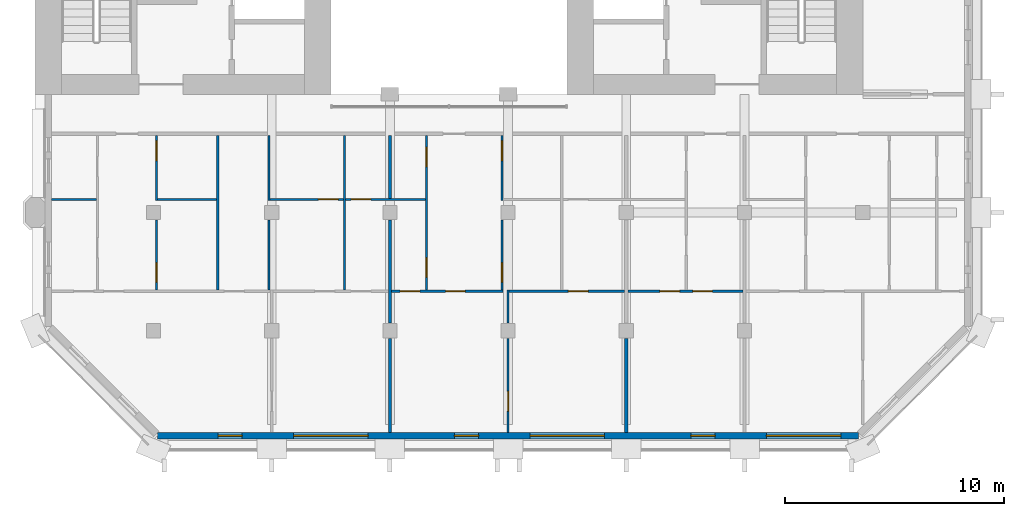
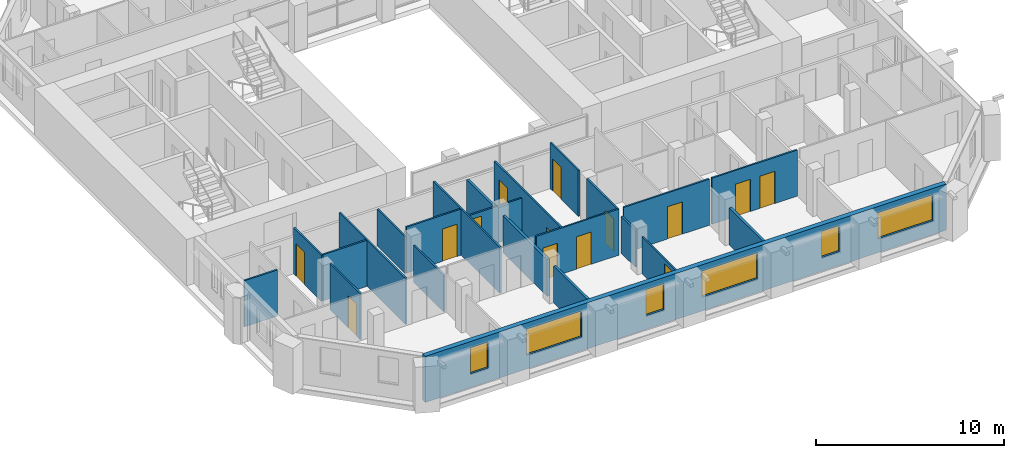
# One storey, part 6 of 14: 23 walls, 14 doors, 6 windows, 20 openings.
"""IFC4 building model written with IfcOpenShell, lengths in metres."""

from ifc_helpers import new_model, si_unit, direction, frame, frame_2d, origin, place, context, subcontext, project, spatial, rectangle, extrude, material, layer, layer_set, type_object, element, fill, save


model = new_model("IFC4")

# Units and contexts
model_context = context("Model", 3, precision=1e-05, world=origin(), true_north=direction((0.0, 1.0)))
body_context = subcontext(model_context, "Body", "Model", "MODEL_VIEW")
ifc_project = project(units=[si_unit("LENGTHUNIT", "METRE"), si_unit("AREAUNIT", "SQUARE_METRE"), si_unit("VOLUMEUNIT", "CUBIC_METRE"), si_unit("PLANEANGLEUNIT", "RADIAN"), si_unit("MASSUNIT", "GRAM", prefix="KILO")], contexts=[model_context])

# Site, building, storey
site_placement = place(None, origin())
site = spatial("IfcSite", under=ifc_project, at=site_placement, CompositionType="ELEMENT")
building_placement = place(site_placement, origin())
building = spatial("IfcBuilding", under=site, at=building_placement, Name="Tabaq Tower and Sports Hall", CompositionType="ELEMENT")
storey_placement = place(building_placement, frame((0.0, 0.0, 275.199951171875)))
storey = spatial("IfcBuildingStorey", under=building, at=storey_placement, Name="L67", CompositionType="ELEMENT", Elevation=275.199951171875)

# Wall
ifc_material_1 = material(Name="Gypsum board on steel studs", Category="steel")
ifc_layer_1 = layer(ifc_material_1, 0.10009765625)
ifc_layer_set_1 = layer_set([ifc_layer_1], Name="Partition 100 Gypsum board")
wall_type_1 = type_object("IfcWallType", Name="Partition 100 Gypsum board", PredefinedType="PARTITIONING", material=ifc_layer_set_1)
wall_1_placement = place(storey_placement, frame((8.18994140625, 11.39990234375, 0.0), z_axis=(0.0, 0.0, 1.0), x_axis=(-1.0, 0.0, 0.0)))
element("IfcWall", 1, at=wall_1_placement, inside=storey, type_object=wall_type_1, Name="Partition wall L67", PredefinedType="PARTITIONING", context=body_context, shape_type="SweptSolid", body=[
    extrude(rectangle(XDim=2.0390625, YDim=0.10009765625, at=frame_2d((1.01953125, 0.0))), origin(), (0.0, 0.0, 1.0), 3.0),
])

# Wall, opening, door
wall_2_placement = place(storey_placement, frame((10.93994140625, 7.25, 0.0), z_axis=(0.0, 0.0, 1.0), x_axis=(0.0, 1.0, 0.0)))
wall_2 = element("IfcWall", 2, at=wall_2_placement, inside=storey, type_object=wall_type_1, Name="Partition wall L67", PredefinedType="PARTITIONING", context=body_context, shape_type="SweptSolid", body=[
    extrude(rectangle(XDim=3.205078125, YDim=0.10009765625, at=frame_2d((1.6025390625, 0.0))), origin(), (0.0, 0.0, 1.0), 3.0),
])
opening_1_placement = place(wall_2_placement, frame((0.362060546875, 0.0, 0.0)))
opening_1 = element("IfcOpeningElement", 3, at=opening_1_placement, cuts=wall_2, Name="Opening L67-011", PredefinedType="OPENING", context=body_context, shape_type="SweptSolid", body=[
    extrude(rectangle(XDim=0.89990234375, YDim=2.10009765625, at=frame_2d((0.449951171875, 1.050048828125))), frame((0.0, 0.050048828125, 0.0), z_axis=(0.0, -1.0, 0.0), x_axis=(1.0, 0.0, 0.0)), (0.0, 0.0, 1.0), 0.10009765625),
])
ifc_material_2 = material(Name="Timber leaf in steel frame", Category="steel")
door_type_1 = type_object("IfcDoorType", Name="Internal door 900 left hand", OperationType="SINGLE_SWING_LEFT", PredefinedType="DOOR", material=ifc_material_2)
door_1_placement = place(opening_1_placement, origin())
door_1 = element("IfcDoor", 4, at=door_1_placement, inside=storey, type_object=door_type_1, Name="Internal door L67-011", OperationType="SINGLE_SWING_LEFT", OverallHeight=2.10009765625, OverallWidth=0.89990234375, PredefinedType="DOOR", context=body_context, shape_type="SweptSolid", body=[
    extrude(rectangle(XDim=0.89990234375, YDim=2.10009765625, at=frame_2d((0.449951171875, 1.050048828125))), frame((0.0, 0.02490234375, 0.0), z_axis=(0.0, -1.0, 0.0), x_axis=(1.0, 0.0, 0.0)), (0.0, 0.0, 1.0), 0.050048828125),
])
fill(opening_1, door_1)

wall_3_placement = place(storey_placement, frame((10.93994140625, 11.35009765625, 0.0), z_axis=(0.0, 0.0, 1.0), x_axis=(0.0, 1.0, 0.0)))
wall_3 = element("IfcWall", 5, at=wall_3_placement, inside=storey, type_object=wall_type_1, Name="Partition wall L67", PredefinedType="PARTITIONING", context=body_context, shape_type="SweptSolid", body=[
    extrude(rectangle(XDim=2.974853515625, YDim=0.10009765625, at=frame_2d((1.4873046875, 0.0))), origin(), (0.0, 0.0, 1.0), 3.0),
])
opening_2_placement = place(wall_3_placement, frame((1.824951171875, 0.0, 0.0)))
opening_2 = element("IfcOpeningElement", 6, at=opening_2_placement, cuts=wall_3, Name="Opening L67-012", PredefinedType="OPENING", context=body_context, shape_type="SweptSolid", body=[
    extrude(rectangle(XDim=0.89990234375, YDim=2.10009765625, at=frame_2d((0.449951171875, 1.050048828125))), frame((0.0, 0.050048828125, 0.0), z_axis=(0.0, -1.0, 0.0), x_axis=(1.0, 0.0, 0.0)), (0.0, 0.0, 1.0), 0.10009765625),
])
door_2_placement = place(opening_2_placement, origin())
door_2 = element("IfcDoor", 7, at=door_2_placement, inside=storey, type_object=door_type_1, Name="Internal door L67-012", OperationType="SINGLE_SWING_LEFT", OverallHeight=2.10009765625, OverallWidth=0.89990234375, PredefinedType="DOOR", context=body_context, shape_type="SweptSolid", body=[
    extrude(rectangle(XDim=0.89990234375, YDim=2.10009765625, at=frame_2d((0.449951171875, 1.050048828125))), frame((0.0, 0.02490234375, 0.0), z_axis=(0.0, -1.0, 0.0), x_axis=(1.0, 0.0, 0.0)), (0.0, 0.0, 1.0), 0.050048828125),
])
fill(opening_2, door_2)

# Walls
wall_4_placement = place(storey_placement, frame((13.68994140625, 11.39990234375, 0.0), z_axis=(0.0, 0.0, 1.0), x_axis=(-1.0, 0.0, 0.0)))
element("IfcWall", 8, at=wall_4_placement, inside=storey, type_object=wall_type_1, Name="Partition wall L67", PredefinedType="PARTITIONING", context=body_context, shape_type="SweptSolid", body=[
    extrude(rectangle(XDim=2.699951171875, YDim=0.10009765625, at=frame_2d((1.35009765625, 0.0))), origin(), (0.0, 0.0, 1.0), 3.0),
])
wall_5_placement = place(storey_placement, frame((13.739990234375, 7.25, 0.0), z_axis=(0.0, 0.0, 1.0), x_axis=(0.0, 1.0, 0.0)))
element("IfcWall", 9, at=wall_5_placement, inside=storey, type_object=wall_type_1, Name="Partition wall L67", PredefinedType="PARTITIONING", context=body_context, shape_type="SweptSolid", body=[
    extrude(rectangle(XDim=7.074951171875, YDim=0.10009765625, at=frame_2d((3.53759765625, 0.0))), origin(), (0.0, 0.0, 1.0), 3.0),
])
wall_6_placement = place(storey_placement, frame((16.080078125, 7.25, 0.0), z_axis=(0.0, 0.0, 1.0), x_axis=(0.0, 1.0, 0.0)))
element("IfcWall", 10, at=wall_6_placement, inside=storey, type_object=wall_type_1, Name="Partition wall L67", PredefinedType="PARTITIONING", context=body_context, shape_type="SweptSolid", body=[
    extrude(rectangle(XDim=3.205078125, YDim=0.10009765625, at=frame_2d((1.6025390625, 0.0))), origin(), (0.0, 0.0, 1.0), 2.400146484375),
])
wall_7_placement = place(storey_placement, frame((16.080078125, 11.35009765625, 0.0), z_axis=(0.0, 0.0, 1.0), x_axis=(0.0, 1.0, 0.0)))
element("IfcWall", 11, at=wall_7_placement, inside=storey, type_object=wall_type_1, Name="Partition wall L67", PredefinedType="PARTITIONING", context=body_context, shape_type="SweptSolid", body=[
    extrude(rectangle(XDim=2.974853515625, YDim=0.10009765625, at=frame_2d((1.4873046875, 0.0))), origin(), (0.0, 0.0, 1.0), 2.400146484375),
])

# Wall, opening, door
wall_8_placement = place(storey_placement, frame((19.47998046875, 11.39990234375, 0.0), z_axis=(0.0, 0.0, 1.0), x_axis=(-1.0, 0.0, 0.0)))
wall_8 = element("IfcWall", 12, at=wall_8_placement, inside=storey, type_object=wall_type_1, Name="Partition wall L67", PredefinedType="PARTITIONING", context=body_context, shape_type="SweptSolid", body=[
    extrude(rectangle(XDim=3.35009765625, YDim=0.10009765625, at=frame_2d((1.675048828125, 0.0))), origin(), (0.0, 0.0, 1.0), 3.0),
])
opening_3_placement = place(wall_8_placement, frame((0.25, 0.0, 0.0)))
opening_3 = element("IfcOpeningElement", 13, at=opening_3_placement, cuts=wall_8, Name="Opening L67-013", PredefinedType="OPENING", context=body_context, shape_type="SweptSolid", body=[
    extrude(rectangle(XDim=0.89990234375, YDim=2.10009765625, at=frame_2d((0.449951171875, 1.050048828125))), frame((0.0, 0.050048828125, 0.0), z_axis=(0.0, -1.0, 0.0), x_axis=(1.0, 0.0, 0.0)), (0.0, 0.0, 1.0), 0.10009765625),
])
ifc_material_3 = material(Name="Timber leaf in steel frame", Category="steel")
door_type_2 = type_object("IfcDoorType", Name="Internal door 900 right hand", OperationType="SINGLE_SWING_RIGHT", PredefinedType="DOOR", material=ifc_material_3)
door_3_placement = place(opening_3_placement, origin())
door_3 = element("IfcDoor", 14, at=door_3_placement, inside=storey, type_object=door_type_2, Name="Internal door L67-013", OperationType="SINGLE_SWING_RIGHT", OverallHeight=2.10009765625, OverallWidth=0.89990234375, PredefinedType="DOOR", context=body_context, shape_type="SweptSolid", body=[
    extrude(rectangle(XDim=0.89990234375, YDim=2.10009765625, at=frame_2d((0.449951171875, 1.050048828125))), frame((0.0, 0.02490234375, 0.0), z_axis=(0.0, -1.0, 0.0), x_axis=(1.0, 0.0, 0.0)), (0.0, 0.0, 1.0), 0.050048828125),
])
fill(opening_3, door_3)

# Wall
wall_9_placement = place(storey_placement, frame((19.530029296875, 7.25, 0.0), z_axis=(0.0, 0.0, 1.0), x_axis=(0.0, 1.0, 0.0)))
element("IfcWall", 15, at=wall_9_placement, inside=storey, type_object=wall_type_1, Name="Partition wall L67", PredefinedType="PARTITIONING", context=body_context, shape_type="SweptSolid", body=[
    extrude(rectangle(XDim=7.074951171875, YDim=0.10009765625, at=frame_2d((3.53759765625, 0.0))), origin(), (0.0, 0.0, 1.0), 3.0),
])

# Wall, opening, door
wall_10_placement = place(storey_placement, frame((27.0, 0.7509765625, 0.0), z_axis=(0.0, 0.0, 1.0), x_axis=(0.0, 1.0, 0.0)))
wall_10 = element("IfcWall", 16, at=wall_10_placement, inside=storey, type_object=wall_type_1, Name="Partition wall L67", PredefinedType="PARTITIONING", context=body_context, shape_type="SweptSolid", body=[
    extrude(rectangle(XDim=4.303955078125, YDim=0.10009765625, at=frame_2d((2.15185546875, 0.0))), origin(), (0.0, 0.0, 1.0), 2.400146484375),
])
opening_4_placement = place(wall_10_placement, frame((0.97412109375, 0.0, 0.0)))
opening_4 = element("IfcOpeningElement", 17, at=opening_4_placement, cuts=wall_10, Name="Opening L67-040", PredefinedType="OPENING", context=body_context, shape_type="SweptSolid", body=[
    extrude(rectangle(XDim=0.89990234375, YDim=2.10009765625, at=frame_2d((0.449951171875, 1.050048828125))), frame((0.0, 0.050048828125, 0.0), z_axis=(0.0, -1.0, 0.0), x_axis=(1.0, 0.0, 0.0)), (0.0, 0.0, 1.0), 0.10009765625),
])
door_4_placement = place(opening_4_placement, origin())
door_4 = element("IfcDoor", 18, at=door_4_placement, inside=storey, type_object=door_type_2, Name="Internal door L67-040", OperationType="SINGLE_SWING_RIGHT", OverallHeight=2.10009765625, OverallWidth=0.89990234375, PredefinedType="DOOR", context=body_context, shape_type="SweptSolid", body=[
    extrude(rectangle(XDim=0.89990234375, YDim=2.10009765625, at=frame_2d((0.449951171875, 1.050048828125))), frame((0.0, 0.02490234375, 0.0), z_axis=(0.0, -1.0, 0.0), x_axis=(1.0, 0.0, 0.0)), (0.0, 0.0, 1.0), 0.050048828125),
])
fill(opening_4, door_4)

# Wall
wall_11_placement = place(storey_placement, frame((27.0, 5.7451171875, 0.0), z_axis=(0.0, 0.0, 1.0), x_axis=(0.0, 1.0, 0.0)))
element("IfcWall", 19, at=wall_11_placement, inside=storey, type_object=wall_type_1, Name="Partition wall L67", PredefinedType="PARTITIONING", context=body_context, shape_type="SweptSolid", body=[
    extrude(rectangle(XDim=1.5048828125, YDim=0.10009765625, at=frame_2d((0.75244140625, 0.0))), origin(), (0.0, 0.0, 1.0), 2.400146484375),
])

# Wall, openings, doors
wall_12_placement = place(storey_placement, frame((26.77197265625, 7.199951171875, 0.0), z_axis=(0.0, 0.0, 1.0), x_axis=(-1.0, 0.0, 0.0)))
wall_12 = element("IfcWall", 20, at=wall_12_placement, inside=storey, type_object=wall_type_1, Name="Partition wall L67", PredefinedType="PARTITIONING", context=body_context, shape_type="SweptSolid", body=[
    extrude(rectangle(XDim=5.096923828125, YDim=0.10009765625, at=frame_2d((2.54833984375, 0.0))), origin(), (0.0, 0.0, 1.0), 3.0),
])
opening_5_placement = place(wall_12_placement, frame((3.801025390625, 0.0, 0.0)))
opening_5 = element("IfcOpeningElement", 21, at=opening_5_placement, cuts=wall_12, Name="Opening L67-041", PredefinedType="OPENING", context=body_context, shape_type="SweptSolid", body=[
    extrude(rectangle(XDim=0.89990234375, YDim=2.10009765625, at=frame_2d((0.449951171875, 1.050048828125))), frame((0.0, 0.050048828125, 0.0), z_axis=(0.0, -1.0, 0.0), x_axis=(1.0, 0.0, 0.0)), (0.0, 0.0, 1.0), 0.10009765625),
])
opening_6_placement = place(wall_12_placement, frame((1.73193359375, 0.0, 0.0)))
opening_6 = element("IfcOpeningElement", 22, at=opening_6_placement, cuts=wall_12, Name="Opening L67-055", PredefinedType="OPENING", context=body_context, shape_type="SweptSolid", body=[
    extrude(rectangle(XDim=0.89990234375, YDim=2.10009765625, at=frame_2d((0.449951171875, 1.050048828125))), frame((0.0, 0.050048828125, 0.0), z_axis=(0.0, -1.0, 0.0), x_axis=(1.0, 0.0, 0.0)), (0.0, 0.0, 1.0), 0.10009765625),
])
door_5_placement = place(opening_5_placement, origin())
door_5 = element("IfcDoor", 23, at=door_5_placement, inside=storey, type_object=door_type_1, Name="Internal door L67-041", OperationType="SINGLE_SWING_LEFT", OverallHeight=2.10009765625, OverallWidth=0.89990234375, PredefinedType="DOOR", context=body_context, shape_type="SweptSolid", body=[
    extrude(rectangle(XDim=0.89990234375, YDim=2.10009765625, at=frame_2d((0.449951171875, 1.050048828125))), frame((0.0, 0.02490234375, 0.0), z_axis=(0.0, -1.0, 0.0), x_axis=(1.0, 0.0, 0.0)), (0.0, 0.0, 1.0), 0.050048828125),
])
fill(opening_5, door_5)
door_6_placement = place(opening_6_placement, origin())
door_6 = element("IfcDoor", 24, at=door_6_placement, inside=storey, type_object=door_type_2, Name="Internal door L67-055", OperationType="SINGLE_SWING_RIGHT", OverallHeight=2.10009765625, OverallWidth=0.89990234375, PredefinedType="DOOR", context=body_context, shape_type="SweptSolid", body=[
    extrude(rectangle(XDim=0.89990234375, YDim=2.10009765625, at=frame_2d((0.449951171875, 1.050048828125))), frame((0.0, 0.02490234375, 0.0), z_axis=(0.0, -1.0, 0.0), x_axis=(1.0, 0.0, 0.0)), (0.0, 0.0, 1.0), 0.050048828125),
])
fill(opening_6, door_6)

# Wall, opening, door
wall_13_placement = place(storey_placement, frame((32.324951171875, 7.199951171875, 0.0), z_axis=(0.0, 0.0, 1.0), x_axis=(-1.0, 0.0, 0.0)))
wall_13 = element("IfcWall", 25, at=wall_13_placement, inside=storey, type_object=wall_type_1, Name="Partition wall L67", PredefinedType="PARTITIONING", context=body_context, shape_type="SweptSolid", body=[
    extrude(rectangle(XDim=5.27490234375, YDim=0.10009765625, at=frame_2d((2.637451171875, 0.0))), origin(), (0.0, 0.0, 1.0), 3.0),
])
opening_7_placement = place(wall_13_placement, frame((1.675048828125, 0.0, 0.0)))
opening_7 = element("IfcOpeningElement", 26, at=opening_7_placement, cuts=wall_13, Name="Opening L67-042", PredefinedType="OPENING", context=body_context, shape_type="SweptSolid", body=[
    extrude(rectangle(XDim=0.89990234375, YDim=2.10009765625, at=frame_2d((0.449951171875, 1.050048828125))), frame((0.0, 0.050048828125, 0.0), z_axis=(0.0, -1.0, 0.0), x_axis=(1.0, 0.0, 0.0)), (0.0, 0.0, 1.0), 0.10009765625),
])
door_7_placement = place(opening_7_placement, origin())
door_7 = element("IfcDoor", 27, at=door_7_placement, inside=storey, type_object=door_type_2, Name="Internal door L67-042", OperationType="SINGLE_SWING_RIGHT", OverallHeight=2.10009765625, OverallWidth=0.89990234375, PredefinedType="DOOR", context=body_context, shape_type="SweptSolid", body=[
    extrude(rectangle(XDim=0.89990234375, YDim=2.10009765625, at=frame_2d((0.449951171875, 1.050048828125))), frame((0.0, 0.02490234375, 0.0), z_axis=(0.0, -1.0, 0.0), x_axis=(1.0, 0.0, 0.0)), (0.0, 0.0, 1.0), 0.050048828125),
])
fill(opening_7, door_7)

wall_14_placement = place(storey_placement, frame((23.220947265625, 11.39990234375, 0.0), z_axis=(0.0, 0.0, 1.0), x_axis=(-1.0, 0.0, 0.0)))
wall_14 = element("IfcWall", 28, at=wall_14_placement, inside=storey, type_object=wall_type_1, Name="Partition wall L67", PredefinedType="PARTITIONING", context=body_context, shape_type="SweptSolid", body=[
    extrude(rectangle(XDim=3.640869140625, YDim=0.10009765625, at=frame_2d((1.8203125, 0.0))), origin(), (0.0, 0.0, 1.0), 2.400146484375),
])
opening_8_placement = place(wall_14_placement, frame((2.490966796875, 0.0, 0.0)))
opening_8 = element("IfcOpeningElement", 29, at=opening_8_placement, cuts=wall_14, Name="Opening L67-014", PredefinedType="OPENING", context=body_context, shape_type="SweptSolid", body=[
    extrude(rectangle(XDim=0.89990234375, YDim=2.10009765625, at=frame_2d((0.449951171875, 1.050048828125))), frame((0.0, 0.050048828125, 0.0), z_axis=(0.0, -1.0, 0.0), x_axis=(1.0, 0.0, 0.0)), (0.0, 0.0, 1.0), 0.10009765625),
])
door_8_placement = place(opening_8_placement, origin())
door_8 = element("IfcDoor", 30, at=door_8_placement, inside=storey, type_object=door_type_2, Name="Internal door L67-014", OperationType="SINGLE_SWING_RIGHT", OverallHeight=2.10009765625, OverallWidth=0.89990234375, PredefinedType="DOOR", context=body_context, shape_type="SweptSolid", body=[
    extrude(rectangle(XDim=0.89990234375, YDim=2.10009765625, at=frame_2d((0.449951171875, 1.050048828125))), frame((0.0, 0.02490234375, 0.0), z_axis=(0.0, -1.0, 0.0), x_axis=(1.0, 0.0, 0.0)), (0.0, 0.0, 1.0), 0.050048828125),
])
fill(opening_8, door_8)

# Wall, openings, doors
wall_15_placement = place(storey_placement, frame((23.27099609375, 7.25, 0.0), z_axis=(0.0, 0.0, 1.0), x_axis=(0.0, 1.0, 0.0)))
wall_15 = element("IfcWall", 31, at=wall_15_placement, inside=storey, type_object=wall_type_1, Name="Partition wall L67", PredefinedType="PARTITIONING", context=body_context, shape_type="SweptSolid", body=[
    extrude(rectangle(XDim=7.074951171875, YDim=0.10009765625, at=frame_2d((3.53759765625, 0.0))), origin(), (0.0, 0.0, 1.0), 3.0),
])
opening_9_placement = place(wall_15_placement, frame((5.637939453125, 0.0, 0.0)))
opening_9 = element("IfcOpeningElement", 32, at=opening_9_placement, cuts=wall_15, Name="Opening L67-015", PredefinedType="OPENING", context=body_context, shape_type="SweptSolid", body=[
    extrude(rectangle(XDim=0.89990234375, YDim=2.10009765625, at=frame_2d((0.449951171875, 1.050048828125))), frame((0.0, 0.050048828125, 0.0), z_axis=(0.0, -1.0, 0.0), x_axis=(1.0, 0.0, 0.0)), (0.0, 0.0, 1.0), 0.10009765625),
])
opening_10_placement = place(wall_15_placement, frame((0.5869140625, 0.0, 0.0)))
opening_10 = element("IfcOpeningElement", 33, at=opening_10_placement, cuts=wall_15, Name="Opening L67-043", PredefinedType="OPENING", context=body_context, shape_type="SweptSolid", body=[
    extrude(rectangle(XDim=0.89990234375, YDim=2.10009765625, at=frame_2d((0.449951171875, 1.050048828125))), frame((0.0, 0.050048828125, 0.0), z_axis=(0.0, -1.0, 0.0), x_axis=(1.0, 0.0, 0.0)), (0.0, 0.0, 1.0), 0.10009765625),
])
door_9_placement = place(opening_9_placement, origin())
door_9 = element("IfcDoor", 34, at=door_9_placement, inside=storey, type_object=door_type_1, Name="Internal door L67-015", OperationType="SINGLE_SWING_LEFT", OverallHeight=2.10009765625, OverallWidth=0.89990234375, PredefinedType="DOOR", context=body_context, shape_type="SweptSolid", body=[
    extrude(rectangle(XDim=0.89990234375, YDim=2.10009765625, at=frame_2d((0.449951171875, 1.050048828125))), frame((0.0, 0.02490234375, 0.0), z_axis=(0.0, -1.0, 0.0), x_axis=(1.0, 0.0, 0.0)), (0.0, 0.0, 1.0), 0.050048828125),
])
fill(opening_9, door_9)
door_10_placement = place(opening_10_placement, origin())
door_10 = element("IfcDoor", 35, at=door_10_placement, inside=storey, type_object=door_type_2, Name="Internal door L67-043", OperationType="SINGLE_SWING_RIGHT", OverallHeight=2.10009765625, OverallWidth=0.89990234375, PredefinedType="DOOR", context=body_context, shape_type="SweptSolid", body=[
    extrude(rectangle(XDim=0.89990234375, YDim=2.10009765625, at=frame_2d((0.449951171875, 1.050048828125))), frame((0.0, 0.02490234375, 0.0), z_axis=(0.0, -1.0, 0.0), x_axis=(1.0, 0.0, 0.0)), (0.0, 0.0, 1.0), 0.050048828125),
])
fill(opening_10, door_10)

# Wall, opening, door
wall_16_placement = place(storey_placement, frame((26.721923828125, 7.25, 0.0), z_axis=(0.0, 0.0, 1.0), x_axis=(0.0, 1.0, 0.0)))
wall_16 = element("IfcWall", 36, at=wall_16_placement, inside=storey, type_object=wall_type_1, Name="Partition wall L67", PredefinedType="PARTITIONING", context=body_context, shape_type="SweptSolid", body=[
    extrude(rectangle(XDim=3.205078125, YDim=0.10009765625, at=frame_2d((1.6025390625, 0.0))), origin(), (0.0, 0.0, 1.0), 3.0),
])
opening_11_placement = place(wall_16_placement, frame((0.362060546875, 0.0, 0.0)))
opening_11 = element("IfcOpeningElement", 37, at=opening_11_placement, cuts=wall_16, Name="Opening L67-016", PredefinedType="OPENING", context=body_context, shape_type="SweptSolid", body=[
    extrude(rectangle(XDim=0.89990234375, YDim=2.10009765625, at=frame_2d((0.449951171875, 1.050048828125))), frame((0.0, 0.050048828125, 0.0), z_axis=(0.0, -1.0, 0.0), x_axis=(1.0, 0.0, 0.0)), (0.0, 0.0, 1.0), 0.10009765625),
])
door_11_placement = place(opening_11_placement, origin())
door_11 = element("IfcDoor", 38, at=door_11_placement, inside=storey, type_object=door_type_2, Name="Internal door L67-016", OperationType="SINGLE_SWING_RIGHT", OverallHeight=2.10009765625, OverallWidth=0.89990234375, PredefinedType="DOOR", context=body_context, shape_type="SweptSolid", body=[
    extrude(rectangle(XDim=0.89990234375, YDim=2.10009765625, at=frame_2d((0.449951171875, 1.050048828125))), frame((0.0, 0.02490234375, 0.0), z_axis=(0.0, -1.0, 0.0), x_axis=(1.0, 0.0, 0.0)), (0.0, 0.0, 1.0), 0.050048828125),
])
fill(opening_11, door_11)

wall_17_placement = place(storey_placement, frame((26.721923828125, 11.35009765625, 0.0), z_axis=(0.0, 0.0, 1.0), x_axis=(0.0, 1.0, 0.0)))
wall_17 = element("IfcWall", 39, at=wall_17_placement, inside=storey, type_object=wall_type_1, Name="Partition wall L67", PredefinedType="PARTITIONING", context=body_context, shape_type="SweptSolid", body=[
    extrude(rectangle(XDim=2.974853515625, YDim=0.10009765625, at=frame_2d((1.4873046875, 0.0))), origin(), (0.0, 0.0, 1.0), 3.0),
])
opening_12_placement = place(wall_17_placement, frame((1.824951171875, 0.0, 0.0)))
opening_12 = element("IfcOpeningElement", 40, at=opening_12_placement, cuts=wall_17, Name="Opening L67-017", PredefinedType="OPENING", context=body_context, shape_type="SweptSolid", body=[
    extrude(rectangle(XDim=0.89990234375, YDim=2.10009765625, at=frame_2d((0.449951171875, 1.050048828125))), frame((0.0, 0.050048828125, 0.0), z_axis=(0.0, -1.0, 0.0), x_axis=(1.0, 0.0, 0.0)), (0.0, 0.0, 1.0), 0.10009765625),
])
door_12_placement = place(opening_12_placement, origin())
door_12 = element("IfcDoor", 41, at=door_12_placement, inside=storey, type_object=door_type_2, Name="Internal door L67-017", OperationType="SINGLE_SWING_RIGHT", OverallHeight=2.10009765625, OverallWidth=0.89990234375, PredefinedType="DOOR", context=body_context, shape_type="SweptSolid", body=[
    extrude(rectangle(XDim=0.89990234375, YDim=2.10009765625, at=frame_2d((0.449951171875, 1.050048828125))), frame((0.0, 0.02490234375, 0.0), z_axis=(0.0, -1.0, 0.0), x_axis=(1.0, 0.0, 0.0)), (0.0, 0.0, 1.0), 0.050048828125),
])
fill(opening_12, door_12)

# Wall, openings, doors
wall_18_placement = place(storey_placement, frame((37.72509765625, 7.199951171875, 0.0), z_axis=(0.0, 0.0, 1.0), x_axis=(-1.0, 0.0, 0.0)))
wall_18 = element("IfcWall", 42, at=wall_18_placement, inside=storey, type_object=wall_type_1, Name="Partition wall L67", PredefinedType="PARTITIONING", context=body_context, shape_type="SweptSolid", body=[
    extrude(rectangle(XDim=5.25, YDim=0.10009765625, at=frame_2d((2.625, 0.0))), origin(), (0.0, 0.0, 1.0), 3.0),
])
opening_13_placement = place(wall_18_placement, frame((2.889892578125, 0.0, 0.0)))
opening_13 = element("IfcOpeningElement", 43, at=opening_13_placement, cuts=wall_18, Name="Opening L67-044", PredefinedType="OPENING", context=body_context, shape_type="SweptSolid", body=[
    extrude(rectangle(XDim=0.89990234375, YDim=2.10009765625, at=frame_2d((0.449951171875, 1.050048828125))), frame((0.0, 0.050048828125, 0.0), z_axis=(0.0, -1.0, 0.0), x_axis=(1.0, 0.0, 0.0)), (0.0, 0.0, 1.0), 0.10009765625),
])
opening_14_placement = place(wall_18_placement, frame((1.389892578125, 0.0, 0.0)))
opening_14 = element("IfcOpeningElement", 44, at=opening_14_placement, cuts=wall_18, Name="Opening L67-045", PredefinedType="OPENING", context=body_context, shape_type="SweptSolid", body=[
    extrude(rectangle(XDim=0.89990234375, YDim=2.10009765625, at=frame_2d((0.449951171875, 1.050048828125))), frame((0.0, 0.050048828125, 0.0), z_axis=(0.0, -1.0, 0.0), x_axis=(1.0, 0.0, 0.0)), (0.0, 0.0, 1.0), 0.10009765625),
])
door_13_placement = place(opening_13_placement, origin())
door_13 = element("IfcDoor", 45, at=door_13_placement, inside=storey, type_object=door_type_1, Name="Internal door L67-044", OperationType="SINGLE_SWING_LEFT", OverallHeight=2.10009765625, OverallWidth=0.89990234375, PredefinedType="DOOR", context=body_context, shape_type="SweptSolid", body=[
    extrude(rectangle(XDim=0.89990234375, YDim=2.10009765625, at=frame_2d((0.449951171875, 1.050048828125))), frame((0.0, 0.02490234375, 0.0), z_axis=(0.0, -1.0, 0.0), x_axis=(1.0, 0.0, 0.0)), (0.0, 0.0, 1.0), 0.050048828125),
])
fill(opening_13, door_13)
door_14_placement = place(opening_14_placement, origin())
door_14 = element("IfcDoor", 46, at=door_14_placement, inside=storey, type_object=door_type_2, Name="Internal door L67-045", OperationType="SINGLE_SWING_RIGHT", OverallHeight=2.10009765625, OverallWidth=0.89990234375, PredefinedType="DOOR", context=body_context, shape_type="SweptSolid", body=[
    extrude(rectangle(XDim=0.89990234375, YDim=2.10009765625, at=frame_2d((0.449951171875, 1.050048828125))), frame((0.0, 0.02490234375, 0.0), z_axis=(0.0, -1.0, 0.0), x_axis=(1.0, 0.0, 0.0)), (0.0, 0.0, 1.0), 0.050048828125),
])
fill(opening_14, door_14)

# Walls
ifc_material_4 = material(Name="Blockwork", Category="masonry")
ifc_layer_2 = layer(ifc_material_4, 0.14990234375)
ifc_layer_set_2 = layer_set([ifc_layer_2], Name="Separating wall 150 Blockwork")
wall_type_2 = type_object("IfcWallType", Name="Separating wall 150 Blockwork", PredefinedType="PARTITIONING", material=ifc_layer_set_2)
wall_19_placement = place(storey_placement, frame((21.60009765625, 0.7509765625, 0.0), z_axis=(0.0, 0.0, 1.0), x_axis=(0.0, 1.0, 0.0)))
element("IfcWall", 47, at=wall_19_placement, inside=storey, type_object=wall_type_2, Name="Separating wall L67", PredefinedType="PARTITIONING", context=body_context, shape_type="SweptSolid", body=[
    extrude(rectangle(XDim=4.303955078125, YDim=0.14990234375, at=frame_2d((2.15185546875, 0.0))), origin(), (0.0, 0.0, 1.0), 2.400146484375),
])
wall_20_placement = place(storey_placement, frame((21.60009765625, 5.7451171875, 0.0), z_axis=(0.0, 0.0, 1.0), x_axis=(0.0, 1.0, 0.0)))
element("IfcWall", 48, at=wall_20_placement, inside=storey, type_object=wall_type_2, Name="Separating wall L67", PredefinedType="PARTITIONING", context=body_context, shape_type="SweptSolid", body=[
    extrude(rectangle(XDim=4.7099609375, YDim=0.14990234375, at=frame_2d((2.35498046875, 0.0))), origin(), (0.0, 0.0, 1.0), 2.400146484375),
])
wall_21_placement = place(storey_placement, frame((21.60009765625, 11.449951171875, 0.0), z_axis=(0.0, 0.0, 1.0), x_axis=(0.0, 1.0, 0.0)))
element("IfcWall", 49, at=wall_21_placement, inside=storey, type_object=wall_type_2, Name="Separating wall L67", PredefinedType="PARTITIONING", context=body_context, shape_type="SweptSolid", body=[
    extrude(rectangle(XDim=2.875, YDim=0.14990234375, at=frame_2d((1.4375, 0.0))), origin(), (0.0, 0.0, 1.0), 2.400146484375),
])
wall_22_placement = place(storey_placement, frame((32.39990234375, 0.7509765625, 0.0), z_axis=(0.0, 0.0, 1.0), x_axis=(0.0, 1.0, 0.0)))
element("IfcWall", 50, at=wall_22_placement, inside=storey, type_object=wall_type_2, Name="Separating wall L67", PredefinedType="PARTITIONING", context=body_context, shape_type="SweptSolid", body=[
    extrude(rectangle(XDim=4.303955078125, YDim=0.14990234375, at=frame_2d((2.15185546875, 0.0))), origin(), (0.0, 0.0, 1.0), 2.400146484375),
])

# Wall, openings, windows
ifc_material_5 = material(Name="White precast concrete C60/75", Category="concrete")
ifc_layer_3 = layer(ifc_material_5, 0.300048828125)
ifc_layer_set_3 = layer_set([ifc_layer_3], Name="White precast concrete C60/75 external wall 300")
wall_type_3 = type_object("IfcWallType", Name="White precast concrete C60/75 external wall 300", PredefinedType="SOLIDWALL", material=ifc_layer_set_3)
wall_23_placement = place(storey_placement, frame((10.986328125, 0.60009765625, 0.0), z_axis=(0.0, 0.0, 1.0), x_axis=(1.0, 0.0, 0.0)))
wall_23 = element("IfcWall", 51, at=wall_23_placement, inside=storey, type_object=wall_type_3, Name="External Wall L67 S", PredefinedType="SOLIDWALL", context=body_context, shape_type="SweptSolid", body=[
    extrude(rectangle(XDim=32.02734375, YDim=0.300048828125, at=frame_2d((16.013671875, 0.0))), origin(), (0.0, 0.0, 1.0), 3.0),
])
opening_15_placement = place(wall_23_placement, frame((2.763671875, 0.0, 0.89990234375)))
opening_15 = element("IfcOpeningElement", 52, at=opening_15_placement, cuts=wall_23, Name="Opening W1B", PredefinedType="OPENING", context=body_context, shape_type="SweptSolid", body=[
    extrude(rectangle(XDim=1.10009765625, YDim=1.699951171875, at=frame_2d((0.550048828125, 0.85009765625))), frame((0.0, 0.16015625, 0.0), z_axis=(0.0, -1.0, 0.0), x_axis=(1.0, 0.0, 0.0)), (0.0, 0.0, 1.0), 0.320068359375),
])
opening_16_placement = place(wall_23_placement, frame((6.213623046875, 0.0, 0.89990234375)))
opening_16 = element("IfcOpeningElement", 53, at=opening_16_placement, cuts=wall_23, Name="Opening W1A", PredefinedType="OPENING", context=body_context, shape_type="SweptSolid", body=[
    extrude(rectangle(XDim=3.39990234375, YDim=1.699951171875, at=frame_2d((1.699951171875, 0.85009765625))), frame((0.0, 0.16015625, 0.0), z_axis=(0.0, -1.0, 0.0), x_axis=(1.0, 0.0, 0.0)), (0.0, 0.0, 1.0), 0.320068359375),
])
opening_17_placement = place(wall_23_placement, frame((13.563720703125, 0.0, 0.89990234375)))
opening_17 = element("IfcOpeningElement", 54, at=opening_17_placement, cuts=wall_23, Name="Opening W1B", PredefinedType="OPENING", context=body_context, shape_type="SweptSolid", body=[
    extrude(rectangle(XDim=1.10009765625, YDim=1.699951171875, at=frame_2d((0.550048828125, 0.85009765625))), frame((0.0, 0.16015625, 0.0), z_axis=(0.0, -1.0, 0.0), x_axis=(1.0, 0.0, 0.0)), (0.0, 0.0, 1.0), 0.320068359375),
])
opening_18_placement = place(wall_23_placement, frame((17.013671875, 0.0, 0.89990234375)))
opening_18 = element("IfcOpeningElement", 55, at=opening_18_placement, cuts=wall_23, Name="Opening W1A", PredefinedType="OPENING", context=body_context, shape_type="SweptSolid", body=[
    extrude(rectangle(XDim=3.39990234375, YDim=1.699951171875, at=frame_2d((1.699951171875, 0.85009765625))), frame((0.0, 0.16015625, 0.0), z_axis=(0.0, -1.0, 0.0), x_axis=(1.0, 0.0, 0.0)), (0.0, 0.0, 1.0), 0.320068359375),
])
opening_19_placement = place(wall_23_placement, frame((24.363525390625, 0.0, 0.89990234375)))
opening_19 = element("IfcOpeningElement", 56, at=opening_19_placement, cuts=wall_23, Name="Opening W1B", PredefinedType="OPENING", context=body_context, shape_type="SweptSolid", body=[
    extrude(rectangle(XDim=1.10009765625, YDim=1.699951171875, at=frame_2d((0.550048828125, 0.85009765625))), frame((0.0, 0.16015625, 0.0), z_axis=(0.0, -1.0, 0.0), x_axis=(1.0, 0.0, 0.0)), (0.0, 0.0, 1.0), 0.320068359375),
])
opening_20_placement = place(wall_23_placement, frame((27.813720703125, 0.0, 0.89990234375)))
opening_20 = element("IfcOpeningElement", 57, at=opening_20_placement, cuts=wall_23, Name="Opening W1A", PredefinedType="OPENING", context=body_context, shape_type="SweptSolid", body=[
    extrude(rectangle(XDim=3.39990234375, YDim=1.699951171875, at=frame_2d((1.699951171875, 0.85009765625))), frame((0.0, 0.16015625, 0.0), z_axis=(0.0, -1.0, 0.0), x_axis=(1.0, 0.0, 0.0)), (0.0, 0.0, 1.0), 0.320068359375),
])
ifc_material_6 = material(Name="Aluminium framed clear glazing", Category="aluminium")
window_type_1 = type_object("IfcWindowType", Name="Window W1A", PartitioningType="SINGLE_PANEL", PredefinedType="WINDOW", material=ifc_material_6)
window_1_placement = place(opening_16_placement, origin())
window_1 = element("IfcWindow", 58, at=window_1_placement, inside=storey, type_object=window_type_1, Name="Window W1A L67", OverallHeight=1.699951171875, OverallWidth=3.39990234375, PartitioningType="SINGLE_PANEL", PredefinedType="WINDOW", context=body_context, shape_type="SweptSolid", body=[
    extrude(rectangle(XDim=3.39990234375, YDim=1.699951171875, at=frame_2d((1.699951171875, 0.85009765625))), frame((0.0, 0.030029296875, 0.0), z_axis=(0.0, -1.0, 0.0), x_axis=(1.0, 0.0, 0.0)), (0.0, 0.0, 1.0), 0.06005859375),
])
fill(opening_16, window_1)
window_2_placement = place(opening_18_placement, origin())
window_2 = element("IfcWindow", 59, at=window_2_placement, inside=storey, type_object=window_type_1, Name="Window W1A L67", OverallHeight=1.699951171875, OverallWidth=3.39990234375, PartitioningType="SINGLE_PANEL", PredefinedType="WINDOW", context=body_context, shape_type="SweptSolid", body=[
    extrude(rectangle(XDim=3.39990234375, YDim=1.699951171875, at=frame_2d((1.699951171875, 0.85009765625))), frame((0.0, 0.030029296875, 0.0), z_axis=(0.0, -1.0, 0.0), x_axis=(1.0, 0.0, 0.0)), (0.0, 0.0, 1.0), 0.06005859375),
])
fill(opening_18, window_2)
window_3_placement = place(opening_20_placement, origin())
window_3 = element("IfcWindow", 60, at=window_3_placement, inside=storey, type_object=window_type_1, Name="Window W1A L67", OverallHeight=1.699951171875, OverallWidth=3.39990234375, PartitioningType="SINGLE_PANEL", PredefinedType="WINDOW", context=body_context, shape_type="SweptSolid", body=[
    extrude(rectangle(XDim=3.39990234375, YDim=1.699951171875, at=frame_2d((1.699951171875, 0.85009765625))), frame((0.0, 0.030029296875, 0.0), z_axis=(0.0, -1.0, 0.0), x_axis=(1.0, 0.0, 0.0)), (0.0, 0.0, 1.0), 0.06005859375),
])
fill(opening_20, window_3)
ifc_material_7 = material(Name="Aluminium framed clear glazing", Category="aluminium")
window_type_2 = type_object("IfcWindowType", Name="Window W1B", PartitioningType="SINGLE_PANEL", PredefinedType="WINDOW", material=ifc_material_7)
window_4_placement = place(opening_15_placement, origin())
window_4 = element("IfcWindow", 61, at=window_4_placement, inside=storey, type_object=window_type_2, Name="Window W1B L67", OverallHeight=1.699951171875, OverallWidth=1.10009765625, PartitioningType="SINGLE_PANEL", PredefinedType="WINDOW", context=body_context, shape_type="SweptSolid", body=[
    extrude(rectangle(XDim=1.10009765625, YDim=1.699951171875, at=frame_2d((0.550048828125, 0.85009765625))), frame((0.0, 0.030029296875, 0.0), z_axis=(0.0, -1.0, 0.0), x_axis=(1.0, 0.0, 0.0)), (0.0, 0.0, 1.0), 0.06005859375),
])
fill(opening_15, window_4)
window_5_placement = place(opening_17_placement, origin())
window_5 = element("IfcWindow", 62, at=window_5_placement, inside=storey, type_object=window_type_2, Name="Window W1B L67", OverallHeight=1.699951171875, OverallWidth=1.10009765625, PartitioningType="SINGLE_PANEL", PredefinedType="WINDOW", context=body_context, shape_type="SweptSolid", body=[
    extrude(rectangle(XDim=1.10009765625, YDim=1.699951171875, at=frame_2d((0.550048828125, 0.85009765625))), frame((0.0, 0.030029296875, 0.0), z_axis=(0.0, -1.0, 0.0), x_axis=(1.0, 0.0, 0.0)), (0.0, 0.0, 1.0), 0.06005859375),
])
fill(opening_17, window_5)
window_6_placement = place(opening_19_placement, origin())
window_6 = element("IfcWindow", 63, at=window_6_placement, inside=storey, type_object=window_type_2, Name="Window W1B L67", OverallHeight=1.699951171875, OverallWidth=1.10009765625, PartitioningType="SINGLE_PANEL", PredefinedType="WINDOW", context=body_context, shape_type="SweptSolid", body=[
    extrude(rectangle(XDim=1.10009765625, YDim=1.699951171875, at=frame_2d((0.550048828125, 0.85009765625))), frame((0.0, 0.030029296875, 0.0), z_axis=(0.0, -1.0, 0.0), x_axis=(1.0, 0.0, 0.0)), (0.0, 0.0, 1.0), 0.06005859375),
])
fill(opening_19, window_6)

save(model, "model.ifc")
